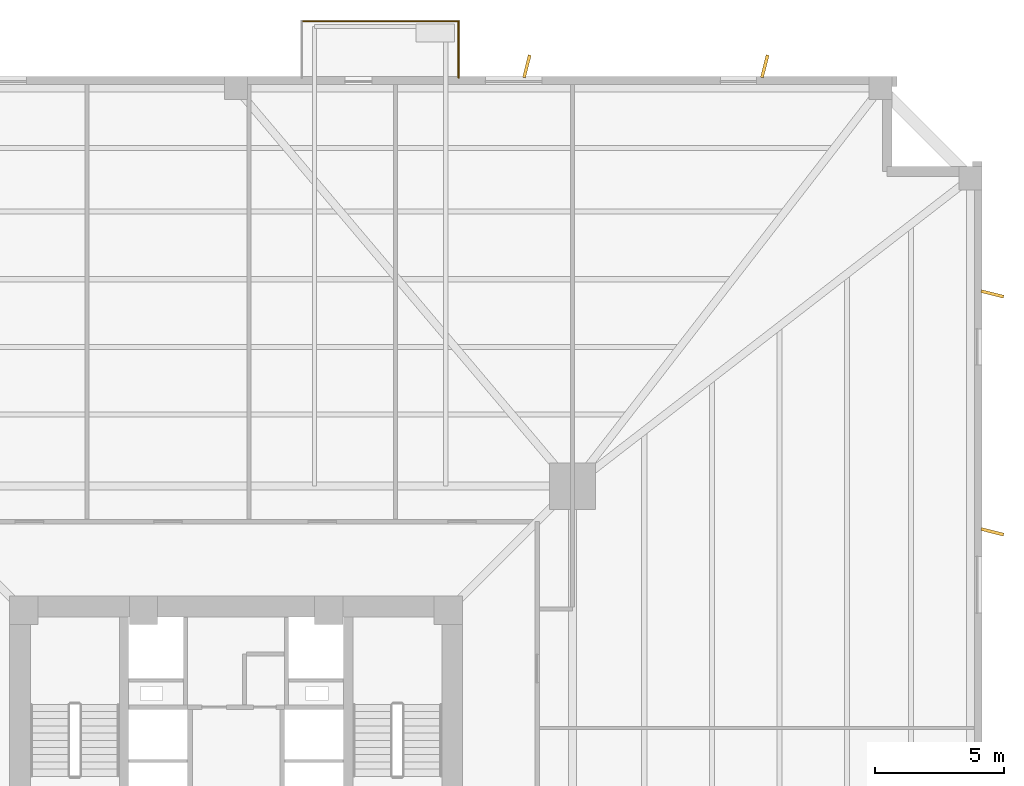
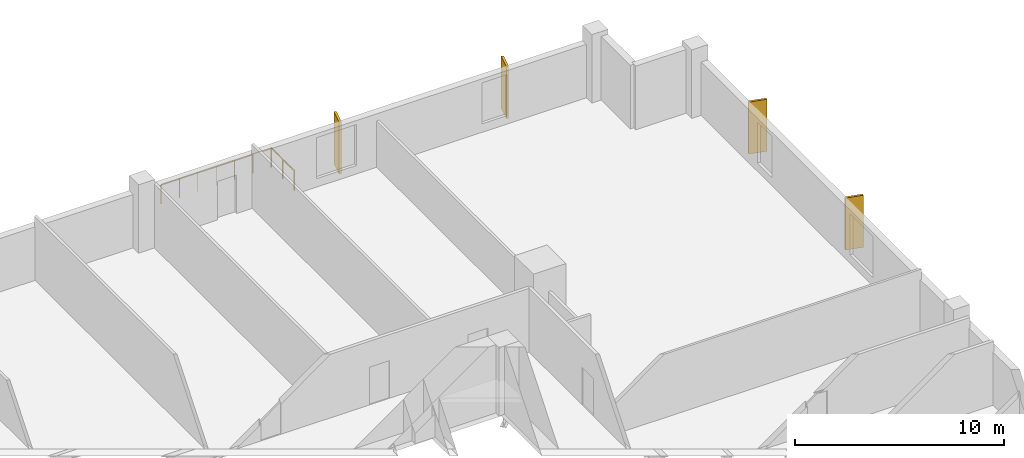
# One storey, part 8 of 8: 4 coverings, 2 railings.
"""IFC4 building model written with IfcOpenShell, lengths in metres."""

from ifc_helpers import new_model, si_unit, direction, frame, origin, origin_2d, place, context, subcontext, project, spatial, rectangle, circle, extrude, source, transform, mapped, material, layer, layer_set, type_object, element, save


model = new_model("IFC4")

# Units and contexts
model_context = context("Model", 3, precision=1e-05, world=origin(), true_north=direction((0.0, 1.0)))
body_context = subcontext(model_context, "Body", "Model", "MODEL_VIEW")
ifc_project = project(units=[si_unit("LENGTHUNIT", "METRE"), si_unit("AREAUNIT", "SQUARE_METRE"), si_unit("VOLUMEUNIT", "CUBIC_METRE"), si_unit("PLANEANGLEUNIT", "RADIAN"), si_unit("MASSUNIT", "GRAM", prefix="KILO"), si_unit("THERMODYNAMICTEMPERATUREUNIT", "KELVIN")], contexts=[model_context])

# Site, building, storey
site_placement = place(None, origin())
site = spatial("IfcSite", under=ifc_project, at=site_placement, CompositionType="ELEMENT")
building_placement = place(site_placement, origin())
building = spatial("IfcBuilding", under=site, at=building_placement, Name="Kosmvard Interchange Tower", CompositionType="ELEMENT")
storey_placement = place(building_placement, frame((0.0, 0.0, 42.0)))
storey = spatial("IfcBuildingStorey", under=building, at=storey_placement, Name="L09", CompositionType="ELEMENT", Elevation=42.0)

# Railing
ifc_material_1 = material(Name="Steel S355", Category="steel")
railing_type = type_object("IfcRailingType", Name="Observation & Balcony Glass-Infill Balustrade 1150", PredefinedType="BALUSTRADE", material=ifc_material_1)
shared_shape_1 = source(origin(), body_context, "Body", "SweptSolid", [
    extrude(circle(Radius=0.02392578125, at=origin_2d()), frame((0.0, 0.0, 1.1259765625), z_axis=(0.0, 1.0, 0.0), x_axis=(-1.0, 0.0, 0.0)), (0.0, 0.0, 1.0), 2.199951171875),
    extrude(circle(Radius=0.02099609375, at=origin_2d()), origin(), (0.0, 0.0, 1.0), 1.101806640625),
    extrude(circle(Radius=0.02099609375, at=origin_2d()), frame((0.0, 1.10009765625, 0.0)), (0.0, 0.0, 1.0), 1.101806640625),
    extrude(circle(Radius=0.02099609375, at=origin_2d()), frame((0.0, 2.199951171875, 0.0)), (0.0, 0.0, 1.0), 1.101806640625),
])
railing_1_placement = place(storey_placement, frame((8.64990234375, 28.949951171875, 0.0)))
element("IfcRailing", 1, at=railing_1_placement, inside=storey, type_object=railing_type, Name="L09 Outdoor Terrace Guard BAL-L09-N-A", PredefinedType="BALUSTRADE", context=body_context, shape_type="MappedRepresentation", body=[
    mapped(shared_shape_1, transform((0.0, 0.0, 0.0), scale=1.0)),
])

# Coverings
ifc_material_2 = material(Name="Architectural anodised aluminium", Category="aluminium")
ifc_layer = layer(ifc_material_2, 0.1201171875, Name="Architectural anodised aluminium")
ifc_layer_set = layer_set([ifc_layer], Name="Architectural anodised aluminium")
covering_type = type_object("IfcCoveringType", Name="Rotating Vertical Sun-Breaker Fin 900x120 Aluminium", PredefinedType="CLADDING", material=ifc_layer_set)
shared_shape_2 = source(origin(), body_context, "Body", "SweptSolid", [
    extrude(rectangle(XDim=0.89990234375, YDim=0.1201171875, at=origin_2d()), origin(), (0.0, 0.0, 1.0), 3.0400390625),
])
for number, where, z_axis, x_axis, name in (
    (2, (29.39990234375, 11.3037109375, 0.0400390625), (0.0, 0.0, 1.0), (0.969445349895, -0.245307385879, 0.0), "L09 Rotating Vertical Sun-Breaker Fin 07"),
    (3, (29.39990234375, 20.552001953125, 0.0400390625), (0.0, 0.0, 1.0), (0.969445349895, -0.245307385879, 0.0), "L09 Rotating Vertical Sun-Breaker Fin 08"),
    (4, (20.552001953125, 29.39990234375, 0.0400390625), (0.0, 0.0, 1.0), (0.245307385879, 0.969445349895, 0.0), "L09 Rotating Vertical Sun-Breaker Fin 09"),
    (5, (11.3037109375, 29.39990234375, 0.0400390625), (0.0, 0.0, 1.0), (0.245307385879, 0.969445349895, 0.0), "L09 Rotating Vertical Sun-Breaker Fin 10"),
):
    element("IfcCovering", number, at=place(storey_placement, frame(where, z_axis=z_axis, x_axis=x_axis)), inside=storey, type_object=covering_type, Name=name, PredefinedType="CLADDING", context=body_context, shape_type="MappedRepresentation", body=[
        mapped(shared_shape_2, transform((0.0, 0.0, 0.0), scale=1.0)),
    ])

# Railing
shared_shape_3 = source(origin(), body_context, "Body", "SweptSolid", [
    extrude(circle(Radius=0.02392578125, at=origin_2d()), frame((0.0, 0.0, 1.1259765625), z_axis=(-1.0, 0.0, 0.0), x_axis=(0.0, -1.0, 0.0)), (0.0, 0.0, 1.0), 6.099853515625),
    extrude(circle(Radius=0.02099609375, at=origin_2d()), origin(), (0.0, 0.0, 1.0), 1.101806640625),
    extrude(circle(Radius=0.02099609375, at=origin_2d()), frame((-1.0166015625, 0.0, 0.0)), (0.0, 0.0, 1.0), 1.101806640625),
    extrude(circle(Radius=0.02099609375, at=origin_2d()), frame((-2.033203125, 0.0, 0.0)), (0.0, 0.0, 1.0), 1.101806640625),
    extrude(circle(Radius=0.02099609375, at=origin_2d()), frame((-3.0498046875, 0.0, 0.0)), (0.0, 0.0, 1.0), 1.101806640625),
    extrude(circle(Radius=0.02099609375, at=origin_2d()), frame((-4.066650390625, 0.0, 0.0)), (0.0, 0.0, 1.0), 1.101806640625),
    extrude(circle(Radius=0.02099609375, at=origin_2d()), frame((-5.083251953125, 0.0, 0.0)), (0.0, 0.0, 1.0), 1.101806640625),
    extrude(circle(Radius=0.02099609375, at=origin_2d()), frame((-6.099853515625, 0.0, 0.0)), (0.0, 0.0, 1.0), 1.101806640625),
])
railing_2_placement = place(storey_placement, frame((8.64990234375, 31.14990234375, 0.0)))
element("IfcRailing", 6, at=railing_2_placement, inside=storey, type_object=railing_type, Name="L09 Outdoor Terrace Guard BAL-L09-N-B", PredefinedType="BALUSTRADE", context=body_context, shape_type="MappedRepresentation", body=[
    mapped(shared_shape_3, transform((0.0, 0.0, 0.0), scale=1.0)),
])

save(model, "model.ifc")
